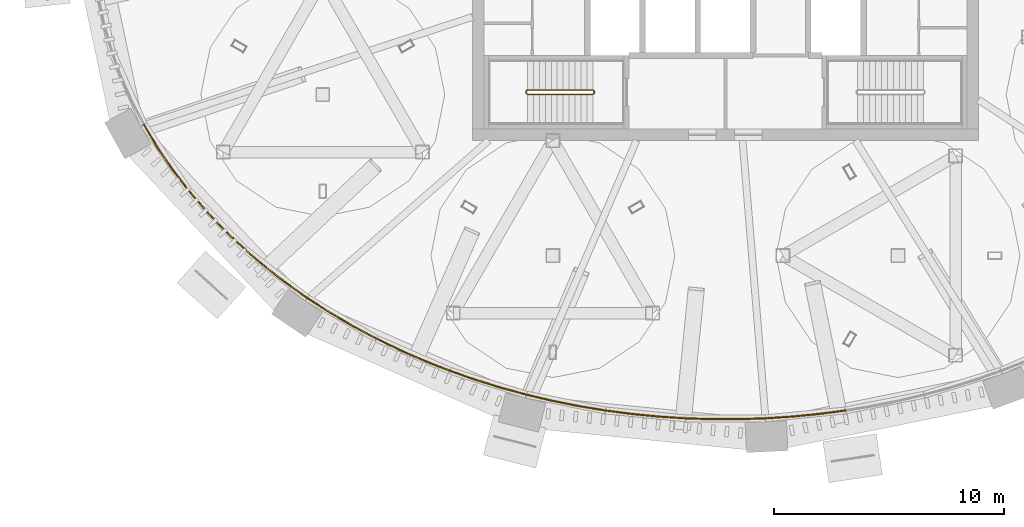
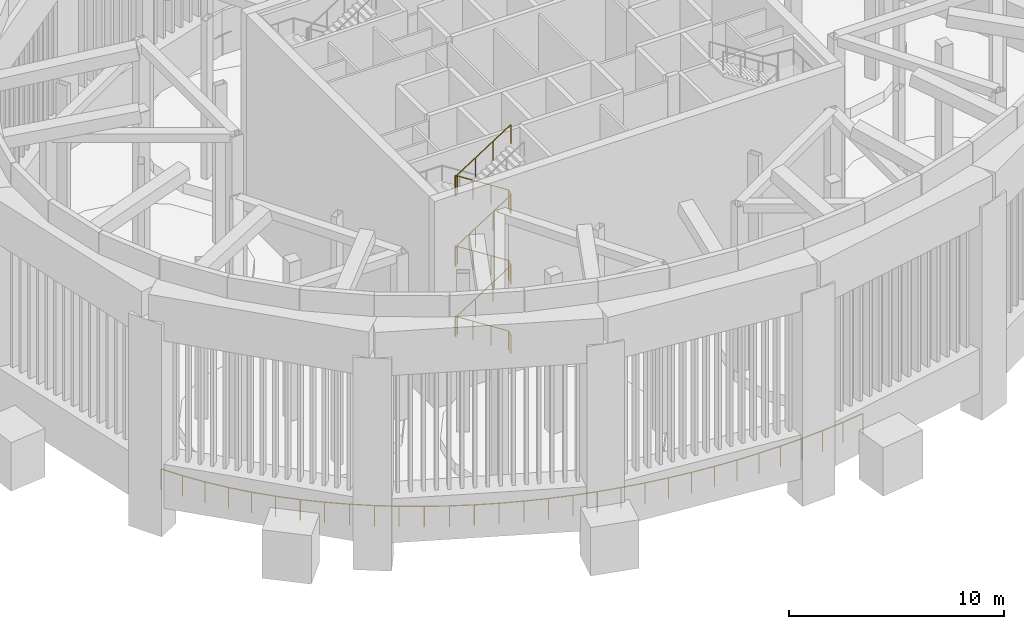
# One storey, part 10 of 14: 6 railings.
"""IFC4 building model written with IfcOpenShell, lengths in metres."""

import ifcopenshell
import ifcopenshell.guid

model = None  # the IFC model being written
_history = None  # IfcOwnerHistory: only IFC2X3 demands one
_inside = {}  # id of a spatial element -> (the spatial element, [elements in it])
_under = {}  # id of a project, library or spatial element -> (it, [spatial elements below it])
_declared = {}  # id of a project -> (the project, [libraries it declares])
_typed = {}  # id of a type object -> (the type object, [elements of that type])
_made_of = {}  # id of a material, layer set ... -> (it, [elements and type objects made of it])


def new_model(schema):
    """Start an empty IFC model of exactly this schema.

    Asked for "IFC4X3", IfcOpenShell would pick the latest addendum, in which some entities
    have other attributes; the version numbers below select the first issue.
    IFC2X3 requires an IfcOwnerHistory on every rooted entity: one is made here for all.
    """
    global model, _history
    if schema == "IFC4X3":
        model = ifcopenshell.file(schema_version=(4, 3, 0, 0))
    else:
        model = ifcopenshell.file(schema=schema)
    _inside.clear()
    _under.clear()
    _declared.clear()
    _typed.clear()
    _made_of.clear()
    _history = None
    if model.schema == "IFC2X3":
        org = make("IfcOrganization", Name="unknown")
        user = make(
            "IfcPersonAndOrganization",
            ThePerson=make("IfcPerson", FamilyName="unknown"),
            TheOrganization=org,
        )
        app = make(
            "IfcApplication",
            ApplicationDeveloper=org,
            Version="unknown",
            ApplicationFullName="unknown",
            ApplicationIdentifier="unknown",
        )
        _history = make(
            "IfcOwnerHistory",
            OwningUser=user,
            OwningApplication=app,
            ChangeAction="ADDED",
            CreationDate=0,
        )
    return model


def make(cls, **values):
    """One entity of the class cls with the attributes given. An attribute that is None is left unset."""
    return model.create_entity(
        cls, **{name: value for name, value in values.items() if value is not None}
    )


def rooted(cls, **values):
    """An entity with a GlobalId (a new one), such as an element, a storey or a relation."""
    return make(cls, GlobalId=ifcopenshell.guid.new(), OwnerHistory=_history, **values)


def si_unit(unit_type, name, prefix=None):
    """IfcSIUnit, for example si_unit("LENGTHUNIT", "METRE", prefix="MILLI")."""
    return make("IfcSIUnit", UnitType=unit_type, Prefix=prefix, Name=name)


def assignment(units):
    """IfcUnitAssignment: the units of a project."""
    return None if units is None else make("IfcUnitAssignment", Units=units)


def point(xyz):
    """IfcCartesianPoint."""
    return None if xyz is None else make("IfcCartesianPoint", Coordinates=xyz)


def direction(xyz):
    """IfcDirection."""
    return None if xyz is None else make("IfcDirection", DirectionRatios=xyz)


def frame(location, z_axis=None, x_axis=None):
    """IfcAxis2Placement3D, a coordinate frame: its origin and axes. An axis left out is left unset."""
    return make(
        "IfcAxis2Placement3D",
        Location=point(location),
        Axis=direction(z_axis),
        RefDirection=direction(x_axis),
    )


def frame_2d(location, x_axis=None):
    """IfcAxis2Placement2D, a coordinate frame in the plane: its origin and x axis."""
    return make(
        "IfcAxis2Placement2D", Location=point(location), RefDirection=direction(x_axis)
    )


def origin():
    """The frame at (0, 0, 0) with its axes left unset."""
    return frame((0.0, 0.0, 0.0))


def origin_2d():
    """The frame at (0, 0) in the plane with its x axis left unset."""
    return frame_2d((0.0, 0.0))


def place(relative_to, where):
    """IfcLocalPlacement: puts the frame where relative to a parent placement (None: the world)."""
    return make(
        "IfcLocalPlacement", PlacementRelTo=relative_to, RelativePlacement=where
    )


def context(
    kind, dimensions, precision=None, world=None, true_north=None, identifier=None
):
    """IfcGeometricRepresentationContext, for example the 3D "Model" context."""
    return make(
        "IfcGeometricRepresentationContext",
        ContextIdentifier=identifier,
        ContextType=kind,
        CoordinateSpaceDimension=dimensions,
        Precision=precision,
        WorldCoordinateSystem=world,
        TrueNorth=true_north,
    )


def subcontext(parent, identifier, kind, view, scale=None):
    """IfcGeometricRepresentationSubContext, for example "Body" below "Model"."""
    return make(
        "IfcGeometricRepresentationSubContext",
        ContextIdentifier=identifier,
        ContextType=kind,
        ParentContext=parent,
        TargetScale=scale,
        TargetView=view,
    )


def project(units=None, contexts=None):
    """IfcProject with its units and contexts."""
    return rooted(
        "IfcProject",
        Name="project",
        RepresentationContexts=contexts,
        UnitsInContext=assignment(units),
    )


def spatial(cls, under=None, at=None, **own):
    """A site, building, storey or space (cls), placed at a placement, below another one or the project."""
    s = rooted(cls, ObjectPlacement=at, **own)
    if under is not None:
        _under.setdefault(under.id(), (under, []))[1].append(s)
    return s


def profile(cls, at=None, kind="AREA", **sizes):
    """A parametric profile (cls). Its sizes go by their IFC names, for example OverallWidth=200.0."""
    return make(cls, ProfileType=kind, Position=at, **sizes)


def circle(**sizes):
    """IfcCircleProfileDef."""
    return profile("IfcCircleProfileDef", **sizes)


def extrude(swept, where, along, depth):
    """IfcExtrudedAreaSolid: the profile swept, set in the frame where, extruded along a direction by depth."""
    return make(
        "IfcExtrudedAreaSolid",
        SweptArea=swept,
        Position=where,
        ExtrudedDirection=direction(along),
        Depth=depth,
    )


def shape(context_of_items, identifier, shape_type, items):
    """IfcShapeRepresentation: the items that make up one representation, for example the "Body"."""
    return make(
        "IfcShapeRepresentation",
        ContextOfItems=context_of_items,
        RepresentationIdentifier=identifier,
        RepresentationType=shape_type,
        Items=items,
    )


def source(mapping_origin, context_of_items, identifier, shape_type, items):
    """IfcRepresentationMap: a shape defined once, which mapped items show again and again."""
    return make(
        "IfcRepresentationMap",
        MappingOrigin=mapping_origin,
        MappedRepresentation=shape(context_of_items, identifier, shape_type, items),
    )


def transform(
    local_origin,
    x_axis=None,
    y_axis=None,
    z_axis=None,
    scale=None,
    scale2=None,
    scale3=None,
    uniform=True,
):
    """IfcCartesianTransformationOperator3D, or its non-uniform kind. x_axis, y_axis, z_axis: its Axis1, 2, 3."""
    if uniform:
        return make(
            "IfcCartesianTransformationOperator3D",
            Axis1=direction(x_axis),
            Axis2=direction(y_axis),
            LocalOrigin=point(local_origin),
            Scale=scale,
            Axis3=direction(z_axis),
        )
    return make(
        "IfcCartesianTransformationOperator3DnonUniform",
        Axis1=direction(x_axis),
        Axis2=direction(y_axis),
        LocalOrigin=point(local_origin),
        Scale=scale,
        Axis3=direction(z_axis),
        Scale2=scale2,
        Scale3=scale3,
    )


def mapped(mapping_source, mapping_target):
    """IfcMappedItem: shows the shape of a source again, moved by a transform."""
    return make(
        "IfcMappedItem", MappingSource=mapping_source, MappingTarget=mapping_target
    )


def material(Name=None, Category=None):
    """IfcMaterial."""
    return make("IfcMaterial", Name=Name, Category=Category)


def made_of(thing, what):
    """Note that an element or type object is made of a material, layer set ...; save() writes the relation."""
    if what is not None:
        _made_of.setdefault(what.id(), (what, []))[1].append(thing)
    return thing


def type_object(cls, material=None, **own):
    """A type object (cls), such as IfcWallType, which elements share."""
    return made_of(rooted(cls, **own), material)


def element(
    cls,
    number,
    at=None,
    inside=None,
    cuts=None,
    type_object=None,
    material=None,
    context=None,
    identifier="Body",
    shape_type=None,
    held_by="IfcProductDefinitionShape",
    body=None,
    shapes=None,
    **own,
):
    """One element of the class cls, such as IfcWall. Its Tag is "e" and its number.

    at: its placement. inside: the storey or other place that contains it. cuts: it is an
    opening in that element (IfcRelVoidsElement). A single representation is given by context,
    identifier, shape_type and body (its items); several are given by shapes. held_by: the class
    of the entity that holds the representations. save() writes the other relations.
    """
    e = rooted(cls, Tag="e%d" % number, ObjectPlacement=at, **own)
    if body is not None:
        shapes = [shape(context, identifier, shape_type, body)]
    if shapes is not None:
        e.Representation = make(held_by, Representations=shapes)
    if inside is not None:
        _inside.setdefault(inside.id(), (inside, []))[1].append(e)
    if cuts is not None:
        rooted(
            "IfcRelVoidsElement", RelatingBuildingElement=cuts, RelatedOpeningElement=e
        )
    if type_object is not None:
        _typed.setdefault(type_object.id(), (type_object, []))[1].append(e)
    return made_of(e, material)


def aggregate(whole, parts):
    """IfcRelAggregates: a whole, such as a stair, and the parts it consists of."""
    return rooted("IfcRelAggregates", RelatingObject=whole, RelatedObjects=parts)


def save(model, path):
    """Write the relations noted so far, then the file.

    IfcRelAggregates (storeys below a building ...), IfcRelContainedInSpatialStructure (elements
    in a storey), IfcRelDefinesByType, IfcRelAssociatesMaterial and IfcRelDeclares: one each for
    every whole, place, type object, material and project.
    """
    for whole, parts in _under.values():
        aggregate(whole, parts)
    for where, things in _inside.values():
        rooted(
            "IfcRelContainedInSpatialStructure",
            RelatedElements=things,
            RelatingStructure=where,
        )
    for kind, things in _typed.values():
        rooted("IfcRelDefinesByType", RelatedObjects=things, RelatingType=kind)
    for what, things in _made_of.values():
        rooted("IfcRelAssociatesMaterial", RelatedObjects=things, RelatingMaterial=what)
    for by, libraries in _declared.values():
        rooted("IfcRelDeclares", RelatingContext=by, RelatedDefinitions=libraries)
    model.write(path)


model = new_model("IFC4")

# Units and contexts
model_context = context("Model", 3, precision=1e-05, world=origin(), true_north=direction((0.0, 1.0)))
body_context = subcontext(model_context, "Body", "Model", "MODEL_VIEW")
ifc_project = project(units=[si_unit("LENGTHUNIT", "METRE"), si_unit("AREAUNIT", "SQUARE_METRE"), si_unit("VOLUMEUNIT", "CUBIC_METRE"), si_unit("PLANEANGLEUNIT", "RADIAN"), si_unit("MASSUNIT", "GRAM", prefix="KILO")], contexts=[model_context])

# Site, building, storey
site_placement = place(None, origin())
site = spatial("IfcSite", under=ifc_project, at=site_placement, CompositionType="ELEMENT")
building_placement = place(site_placement, origin())
building = spatial("IfcBuilding", under=site, at=building_placement, Name="Embergate Tower", CompositionType="ELEMENT")
storey_placement = place(building_placement, frame((0.0, 0.0, 340.0)))
storey = spatial("IfcBuildingStorey", under=building, at=storey_placement, Name="L79", CompositionType="ELEMENT", Elevation=340.0)

# Railings
ifc_material_1 = material(Name="Steel Q355B", Category="steel")
railing_type_1 = type_object("IfcRailingType", Name="Slot edge guard", PredefinedType="GUARDRAIL", material=ifc_material_1)
shared_shape_1 = source(origin(), body_context, "Body", "SweptSolid", [
    extrude(circle(Radius=0.030029296875, at=origin_2d()), frame((0.0, 0.0, 1.169921875), z_axis=(0.51273893643, -0.858544572558, 0.0), x_axis=(0.858544572558, 0.51273893643, 0.0)), (0.0, 0.0, 1.0), 1.14501953125),
    extrude(circle(Radius=0.030029296875, at=origin_2d()), frame((0.587158203125, -0.983154296875, 1.169921875), z_axis=(0.562160279696, -0.827028306609, 0.0), x_axis=(0.827028306609, 0.562160279696, 0.0)), (0.0, 0.0, 1.0), 1.15966796875),
    extrude(circle(Radius=0.030029296875, at=origin_2d()), frame((1.239013671875, -1.942138671875, 1.169921875), z_axis=(0.609299061567, -0.79294051074, 0.0), x_axis=(0.79294051074, 0.609299061567, 0.0)), (0.0, 0.0, 1.0), 1.17529296875),
    extrude(circle(Radius=0.030029296875, at=origin_2d()), frame((1.955078125, -2.8740234375, 1.169921875), z_axis=(0.650931692548, -0.759136306362, 0.0), x_axis=(0.759136306362, 0.650931692548, 0.0)), (0.0, 0.0, 1.0), 1.146240234375),
    extrude(circle(Radius=0.030029296875, at=origin_2d()), frame((2.701171875, -3.744140625, 1.169921875), z_axis=(0.690080457651, -0.723732659183, 0.0), x_axis=(0.723732659183, 0.690080457651, 0.0)), (0.0, 0.0, 1.0), 1.160888671875),
    extrude(circle(Radius=0.030029296875, at=origin_2d()), frame((3.502197265625, -4.584228515625, 1.169921875), z_axis=(0.72643762883, -0.687232399861, 0.0), x_axis=(0.687232399861, 0.72643762883, 0.0)), (0.0, 0.0, 1.0), 1.177001953125),
    extrude(circle(Radius=0.02490234375, at=origin_2d()), origin(), (0.0, 0.0, 1.0), 1.139892578125),
    extrude(circle(Radius=0.02490234375, at=origin_2d()), frame((0.587158203125, -0.983154296875, 0.0)), (0.0, 0.0, 1.0), 1.139892578125),
    extrude(circle(Radius=0.02490234375, at=origin_2d()), frame((1.239013671875, -1.942138671875, 0.0)), (0.0, 0.0, 1.0), 1.139892578125),
    extrude(circle(Radius=0.02490234375, at=origin_2d()), frame((1.955078125, -2.8740234375, 0.0)), (0.0, 0.0, 1.0), 1.139892578125),
    extrude(circle(Radius=0.02490234375, at=origin_2d()), frame((2.701171875, -3.744140625, 0.0)), (0.0, 0.0, 1.0), 1.139892578125),
    extrude(circle(Radius=0.02490234375, at=origin_2d()), frame((3.502197265625, -4.584228515625, 0.0)), (0.0, 0.0, 1.0), 1.139892578125),
    extrude(circle(Radius=0.02490234375, at=origin_2d()), frame((4.357177734375, -5.39306640625, 0.0)), (0.0, 0.0, 1.0), 1.139892578125),
])
railing_1_placement = place(storey_placement, frame((-25.278076171875, -8.306884765625, 0.0)))
element("IfcRailing", 1, at=railing_1_placement, inside=storey, type_object=railing_type_1, Name="GRD-L79-12", PredefinedType="GUARDRAIL", context=body_context, shape_type="MappedRepresentation", body=[
    mapped(shared_shape_1, transform((0.0, 0.0, 0.0))),
])
shared_shape_2 = source(origin(), body_context, "Body", "SweptSolid", [
    extrude(circle(Radius=0.030029296875, at=origin_2d()), frame((0.0, 0.0, 1.169921875), z_axis=(0.758204132151, -0.652017249764, 0.0), x_axis=(0.652017249764, 0.758204132151, 0.0)), (0.0, 0.0, 1.0), 1.147216796875),
    extrude(circle(Radius=0.030029296875, at=origin_2d()), frame((0.869873046875, -0.748046875, 1.169921875), z_axis=(0.788571535905, -0.614943032126, 0.0), x_axis=(0.614943032126, 0.788571535905, 0.0)), (0.0, 0.0, 1.0), 1.162841796875),
    extrude(circle(Radius=0.030029296875, at=origin_2d()), frame((1.786865234375, -1.463134765625, 1.169921875), z_axis=(0.815371226091, -0.578938480033, 0.0), x_axis=(0.578938480033, 0.815371226091, 0.0)), (0.0, 0.0, 1.0), 1.176025390625),
    extrude(circle(Radius=0.030029296875, at=origin_2d()), frame((2.745849609375, -2.14404296875, 1.169921875), z_axis=(0.83999704899, -0.542590967202, 0.0), x_axis=(0.542590967202, 0.83999704899, 0.0)), (0.0, 0.0, 1.0), 1.150146484375),
    extrude(circle(Radius=0.030029296875, at=origin_2d()), frame((3.7119140625, -2.76806640625, 1.169921875), z_axis=(0.86234405618, -0.506322751584, 0.0), x_axis=(0.506322751584, 0.86234405618, 0.0)), (0.0, 0.0, 1.0), 1.1630859375),
    extrude(circle(Radius=0.030029296875, at=origin_2d()), frame((4.71484375, -3.35693359375, 1.169921875), z_axis=(0.882134203218, -0.470998139607, 0.0), x_axis=(0.470998139607, 0.882134203218, 0.0)), (0.0, 0.0, 1.0), 1.174560546875),
    extrude(circle(Radius=0.02490234375, at=origin_2d()), origin(), (0.0, 0.0, 1.0), 1.139892578125),
    extrude(circle(Radius=0.02490234375, at=origin_2d()), frame((0.869873046875, -0.748046875, 0.0)), (0.0, 0.0, 1.0), 1.139892578125),
    extrude(circle(Radius=0.02490234375, at=origin_2d()), frame((1.786865234375, -1.463134765625, 0.0)), (0.0, 0.0, 1.0), 1.139892578125),
    extrude(circle(Radius=0.02490234375, at=origin_2d()), frame((2.745849609375, -2.14404296875, 0.0)), (0.0, 0.0, 1.0), 1.139892578125),
    extrude(circle(Radius=0.02490234375, at=origin_2d()), frame((3.7119140625, -2.76806640625, 0.0)), (0.0, 0.0, 1.0), 1.139892578125),
    extrude(circle(Radius=0.02490234375, at=origin_2d()), frame((4.71484375, -3.35693359375, 0.0)), (0.0, 0.0, 1.0), 1.139892578125),
    extrude(circle(Radius=0.02490234375, at=origin_2d()), frame((5.7509765625, -3.91015625, 0.0)), (0.0, 0.0, 1.0), 1.139892578125),
])
railing_2_placement = place(storey_placement, frame((-20.9208984375, -13.699951171875, 0.0)))
element("IfcRailing", 2, at=railing_2_placement, inside=storey, type_object=railing_type_1, Name="GRD-L79-13", PredefinedType="GUARDRAIL", context=body_context, shape_type="MappedRepresentation", body=[
    mapped(shared_shape_2, transform((0.0, 0.0, 0.0))),
])
shared_shape_3 = source(origin(), body_context, "Body", "SweptSolid", [
    extrude(circle(Radius=0.030029296875, at=origin_2d()), frame((0.0, 0.0, 1.169921875), z_axis=(0.899904745665, -0.436086515189, 0.0), x_axis=(0.436086515189, 0.899904745665, 0.0)), (0.0, 0.0, 1.0), 1.1533203125),
    extrude(circle(Radius=0.030029296875, at=origin_2d()), frame((1.037841796875, -0.5029296875, 1.169921875), z_axis=(0.91627768128, -0.400543644049, 0.0), x_axis=(0.400543644049, 0.91627768128, 0.0)), (0.0, 0.0, 1.0), 1.16357421875),
    extrude(circle(Radius=0.030029296875, at=origin_2d()), frame((2.10400390625, -0.968994140625, 1.169921875), z_axis=(0.93074137423, -0.365678129365, 0.0), x_axis=(0.365678129365, 0.93074137423, 0.0)), (0.0, 0.0, 1.0), 1.173095703125),
    extrude(circle(Radius=0.030029296875, at=origin_2d()), frame((3.19580078125, -1.39794921875, 1.169921875), z_axis=(0.943538634761, -0.331262501217, 0.0), x_axis=(0.331262501217, 0.943538634761, 0.0)), (0.0, 0.0, 1.0), 1.15625),
    extrude(circle(Radius=0.030029296875, at=origin_2d()), frame((4.286865234375, -1.781005859375, 1.169921875), z_axis=(0.954789306627, -0.297283332782, 0.0), x_axis=(0.297283332782, 0.954789306627, 0.0)), (0.0, 0.0, 1.0), 1.16357421875),
    extrude(circle(Radius=0.030029296875, at=origin_2d()), frame((5.39794921875, -2.126953125, 1.169921875), z_axis=(0.964614558628, -0.26366409176, 0.0), x_axis=(0.26366409176, 0.964614558628, 0.0)), (0.0, 0.0, 1.0), 1.17138671875),
    extrude(circle(Radius=0.02490234375, at=origin_2d()), origin(), (0.0, 0.0, 1.0), 1.139892578125),
    extrude(circle(Radius=0.02490234375, at=origin_2d()), frame((1.037841796875, -0.5029296875, 0.0)), (0.0, 0.0, 1.0), 1.139892578125),
    extrude(circle(Radius=0.02490234375, at=origin_2d()), frame((2.10400390625, -0.968994140625, 0.0)), (0.0, 0.0, 1.0), 1.139892578125),
    extrude(circle(Radius=0.02490234375, at=origin_2d()), frame((3.19580078125, -1.39794921875, 0.0)), (0.0, 0.0, 1.0), 1.139892578125),
    extrude(circle(Radius=0.02490234375, at=origin_2d()), frame((4.286865234375, -1.781005859375, 0.0)), (0.0, 0.0, 1.0), 1.139892578125),
    extrude(circle(Radius=0.02490234375, at=origin_2d()), frame((5.39794921875, -2.126953125, 0.0)), (0.0, 0.0, 1.0), 1.139892578125),
    extrude(circle(Radius=0.02490234375, at=origin_2d()), frame((6.52783203125, -2.435791015625, 0.0)), (0.0, 0.0, 1.0), 1.139892578125),
])
railing_3_placement = place(storey_placement, frame((-15.169921875, -17.610107421875, 0.0)))
element("IfcRailing", 3, at=railing_3_placement, inside=storey, type_object=railing_type_1, Name="GRD-L79-14", PredefinedType="GUARDRAIL", context=body_context, shape_type="MappedRepresentation", body=[
    mapped(shared_shape_3, transform((0.0, 0.0, 0.0))),
])
shared_shape_4 = source(origin(), body_context, "Body", "SweptSolid", [
    extrude(circle(Radius=0.030029296875, at=origin_2d()), frame((0.0, 0.0, 1.169921875), z_axis=(0.973245494362, -0.229767725548, 0.0), x_axis=(0.229767725548, 0.973245494362, 0.0)), (0.0, 0.0, 1.0), 1.158203125),
    extrude(circle(Radius=0.030029296875, at=origin_2d()), frame((1.127197265625, -0.26611328125, 1.169921875), z_axis=(0.980475716763, -0.19664020148, 0.0), x_axis=(0.19664020148, 0.980475716763, 0.0)), (0.0, 0.0, 1.0), 1.16455078125),
    extrude(circle(Radius=0.030029296875, at=origin_2d()), frame((2.26904296875, -0.4951171875, 1.169921875), z_axis=(0.986568377457, -0.163348818796, 0.0), x_axis=(0.163348818796, 0.986568377457, 0.0)), (0.0, 0.0, 1.0), 1.168701171875),
    extrude(circle(Radius=0.030029296875, at=origin_2d()), frame((3.422119140625, -0.68603515625, 1.169921875), z_axis=(0.991502866582, -0.13008483985, 0.0), x_axis=(0.13008483985, 0.991502866582, 0.0)), (0.0, 0.0, 1.0), 1.16162109375),
    extrude(circle(Radius=0.030029296875, at=origin_2d()), frame((4.573974609375, -0.837158203125, 1.169921875), z_axis=(0.995189702322, -0.097966608555, 0.0), x_axis=(0.097966608555, 0.995189702322, 0.0)), (0.0, 0.0, 1.0), 1.163818359375),
    extrude(circle(Radius=0.030029296875, at=origin_2d()), frame((5.732177734375, -0.951171875, 1.169921875), z_axis=(0.997878628081, -0.06510179428, 0.0), x_axis=(0.06510179428, 0.997878628081, 0.0)), (0.0, 0.0, 1.0), 1.166259765625),
    extrude(circle(Radius=0.02490234375, at=origin_2d()), origin(), (0.0, 0.0, 1.0), 1.139892578125),
    extrude(circle(Radius=0.02490234375, at=origin_2d()), frame((1.127197265625, -0.26611328125, 0.0)), (0.0, 0.0, 1.0), 1.139892578125),
    extrude(circle(Radius=0.02490234375, at=origin_2d()), frame((2.26904296875, -0.4951171875, 0.0)), (0.0, 0.0, 1.0), 1.139892578125),
    extrude(circle(Radius=0.02490234375, at=origin_2d()), frame((3.422119140625, -0.68603515625, 0.0)), (0.0, 0.0, 1.0), 1.139892578125),
    extrude(circle(Radius=0.02490234375, at=origin_2d()), frame((4.573974609375, -0.837158203125, 0.0)), (0.0, 0.0, 1.0), 1.139892578125),
    extrude(circle(Radius=0.02490234375, at=origin_2d()), frame((5.732177734375, -0.951171875, 0.0)), (0.0, 0.0, 1.0), 1.139892578125),
    extrude(circle(Radius=0.02490234375, at=origin_2d()), frame((6.89599609375, -1.027099609375, 0.0)), (0.0, 0.0, 1.0), 1.139892578125),
])
railing_4_placement = place(storey_placement, frame((-8.64208984375, -20.0458984375, 0.0)))
element("IfcRailing", 4, at=railing_4_placement, inside=storey, type_object=railing_type_1, Name="GRD-L79-15", PredefinedType="GUARDRAIL", context=body_context, shape_type="MappedRepresentation", body=[
    mapped(shared_shape_4, transform((0.0, 0.0, 0.0))),
])
shared_shape_5 = source(origin(), body_context, "Body", "SweptSolid", [
    extrude(circle(Radius=0.030029296875, at=origin_2d()), frame((0.0, 0.0, 1.169921875), z_axis=(0.999465191622, -0.03270062288, 0.0), x_axis=(0.03270062288, 0.999465191622, 0.0)), (0.0, 0.0, 1.0), 1.164794921875),
    extrude(circle(Radius=0.030029296875, at=origin_2d()), frame((1.1640625, -0.0380859375, 1.169921875), z_axis=(1.0, 0.0, 0.0), x_axis=(0.0, 1.0, 0.0)), (0.0, 0.0, 1.0), 1.1640625),
    extrude(circle(Radius=0.030029296875, at=origin_2d()), frame((2.328125, -0.0380859375, 1.169921875), z_axis=(0.999465191622, 0.03270062288, 0.0), x_axis=(-0.03270062288, 0.999465191622, 0.0)), (0.0, 0.0, 1.0), 1.164794921875),
    extrude(circle(Radius=0.030029296875, at=origin_2d()), frame((3.4921875, 0.0, 1.169921875), z_axis=(0.997878628081, 0.06510179428, 0.0), x_axis=(-0.06510179428, 0.997878628081, 0.0)), (0.0, 0.0, 1.0), 1.166259765625),
    extrude(circle(Radius=0.030029296875, at=origin_2d()), frame((4.656005859375, 0.075927734375, 1.169921875), z_axis=(0.995189702322, 0.097966608555, 0.0), x_axis=(-0.097966608555, 0.995189702322, 0.0)), (0.0, 0.0, 1.0), 1.163818359375),
    extrude(circle(Radius=0.030029296875, at=origin_2d()), frame((5.814208984375, 0.18994140625, 1.169921875), z_axis=(0.991502866582, 0.13008483985, 0.0), x_axis=(-0.13008483985, 0.991502866582, 0.0)), (0.0, 0.0, 1.0), 1.16162109375),
    extrude(circle(Radius=0.02490234375, at=origin_2d()), origin(), (0.0, 0.0, 1.0), 1.139892578125),
    extrude(circle(Radius=0.02490234375, at=origin_2d()), frame((1.1640625, -0.0380859375, 0.0)), (0.0, 0.0, 1.0), 1.139892578125),
    extrude(circle(Radius=0.02490234375, at=origin_2d()), frame((2.328125, -0.0380859375, 0.0)), (0.0, 0.0, 1.0), 1.139892578125),
    extrude(circle(Radius=0.02490234375, at=origin_2d()), frame((3.4921875, 0.0, 0.0)), (0.0, 0.0, 1.0), 1.139892578125),
    extrude(circle(Radius=0.02490234375, at=origin_2d()), frame((4.656005859375, 0.075927734375, 0.0)), (0.0, 0.0, 1.0), 1.139892578125),
    extrude(circle(Radius=0.02490234375, at=origin_2d()), frame((5.814208984375, 0.18994140625, 0.0)), (0.0, 0.0, 1.0), 1.139892578125),
    extrude(circle(Radius=0.02490234375, at=origin_2d()), frame((6.966064453125, 0.341064453125, 0.0)), (0.0, 0.0, 1.0), 1.139892578125),
])
railing_5_placement = place(storey_placement, frame((-1.74609375, -21.072998046875, 0.0)))
element("IfcRailing", 5, at=railing_5_placement, inside=storey, type_object=railing_type_1, Name="GRD-L79-16", PredefinedType="GUARDRAIL", context=body_context, shape_type="MappedRepresentation", body=[
    mapped(shared_shape_5, transform((0.0, 0.0, 0.0))),
])
ifc_material_2 = material(Name="Stair guard 1100")
railing_type_2 = type_object("IfcRailingType", Name="Stair guard 1100", PredefinedType="GUARDRAIL", material=ifc_material_2)
shared_shape_6 = source(origin(), body_context, "Body", "SweptSolid", [
    extrude(circle(Radius=0.02392578125, at=origin_2d()), frame((0.0, 0.0, 1.076171875), z_axis=(0.0, 1.0, 0.0), x_axis=(-1.0, 0.0, 0.0)), (0.0, 0.0, 1.0), 0.099853515625),
    extrude(circle(Radius=0.02392578125, at=origin_2d()), frame((0.0, 0.099853515625, 1.076171875), z_axis=(-0.27628659633, 0.27628659633, 0.920506074601), x_axis=(-0.707106781187, -0.707106781187, 0.0)), (0.0, 0.0, 1.0), 0.18115234375),
    extrude(circle(Radius=0.02392578125, at=origin_2d()), frame((-0.050048828125, 0.14990234375, 1.24267578125), z_axis=(-0.841899231129, 0.0, 0.539634769658), x_axis=(0.0, -1.0, 0.0)), (0.0, 0.0, 1.0), 3.397216796875),
    extrude(circle(Radius=0.02392578125, at=origin_2d()), frame((-2.91015625, 0.14990234375, 3.076171875), z_axis=(-0.705375805398, -0.708833529934, 0.0), x_axis=(0.708833529934, -0.705375805398, 0.0)), (0.0, 0.0, 1.0), 0.070556640625),
    extrude(circle(Radius=0.02392578125, at=origin_2d()), frame((-2.9599609375, 0.099853515625, 3.076171875), z_axis=(0.0, -1.0, 0.0), x_axis=(1.0, 0.0, 0.0)), (0.0, 0.0, 1.0), 0.099853515625),
    extrude(circle(Radius=0.02392578125, at=origin_2d()), frame((-2.9599609375, 0.0, 3.076171875), z_axis=(0.275041040955, -0.276389281352, 0.920848191041), x_axis=(0.708833529934, 0.705375805398, 0.0)), (0.0, 0.0, 1.0), 0.18115234375),
    extrude(circle(Radius=0.02392578125, at=origin_2d()), frame((-2.91015625, -0.050048828125, 3.24267578125), z_axis=(0.841899231129, 0.0, 0.539634769658), x_axis=(0.0, 1.0, 0.0)), (0.0, 0.0, 1.0), 3.397216796875),
    extrude(circle(Radius=0.02392578125, at=origin_2d()), frame((-0.050048828125, -0.050048828125, 5.076171875), z_axis=(0.707106781187, 0.707106781187, 0.0), x_axis=(-0.707106781187, 0.707106781187, 0.0)), (0.0, 0.0, 1.0), 0.07080078125),
    extrude(circle(Radius=0.02392578125, at=origin_2d()), frame((0.0, 0.0, 5.076171875), z_axis=(0.0, 1.0, 0.0), x_axis=(-1.0, 0.0, 0.0)), (0.0, 0.0, 1.0), 0.099853515625),
    extrude(circle(Radius=0.02392578125, at=origin_2d()), frame((0.0, 0.099853515625, 5.076171875), z_axis=(-0.27628659633, 0.27628659633, 0.920506074601), x_axis=(-0.707106781187, -0.707106781187, 0.0)), (0.0, 0.0, 1.0), 0.18115234375),
    extrude(circle(Radius=0.02392578125, at=origin_2d()), frame((-0.050048828125, 0.14990234375, 5.24267578125), z_axis=(-0.841899231129, 0.0, 0.539634769658), x_axis=(0.0, -1.0, 0.0)), (0.0, 0.0, 1.0), 3.397216796875),
    extrude(circle(Radius=0.02392578125, at=origin_2d()), frame((-2.91015625, 0.14990234375, 7.076171875), z_axis=(-0.705375805398, -0.708833529934, 0.0), x_axis=(0.708833529934, -0.705375805398, 0.0)), (0.0, 0.0, 1.0), 0.070556640625),
    extrude(circle(Radius=0.02392578125, at=origin_2d()), frame((-2.9599609375, 0.099853515625, 7.076171875), z_axis=(0.0, -1.0, 0.0), x_axis=(1.0, 0.0, 0.0)), (0.0, 0.0, 1.0), 0.099853515625),
    extrude(circle(Radius=0.02392578125, at=origin_2d()), frame((-2.9599609375, 0.0, 7.076171875), z_axis=(0.275041040955, -0.276389281352, 0.920848191041), x_axis=(0.708833529934, 0.705375805398, 0.0)), (0.0, 0.0, 1.0), 0.18115234375),
    extrude(circle(Radius=0.02392578125, at=origin_2d()), frame((-2.91015625, -0.050048828125, 7.24267578125), z_axis=(0.841899231129, 0.0, 0.539634769658), x_axis=(0.0, 1.0, 0.0)), (0.0, 0.0, 1.0), 3.397216796875),
    extrude(circle(Radius=0.02392578125, at=origin_2d()), frame((-0.050048828125, -0.050048828125, 9.076171875), z_axis=(0.707106781187, 0.707106781187, 0.0), x_axis=(-0.707106781187, 0.707106781187, 0.0)), (0.0, 0.0, 1.0), 0.07080078125),
    extrude(circle(Radius=0.02392578125, at=origin_2d()), frame((0.0, 0.0, 9.076171875), z_axis=(0.0, 1.0, 0.0), x_axis=(-1.0, 0.0, 0.0)), (0.0, 0.0, 1.0), 0.099853515625),
    extrude(circle(Radius=0.02392578125, at=origin_2d()), frame((0.0, 0.099853515625, 9.076171875), z_axis=(-0.27628659633, 0.27628659633, 0.920506074601), x_axis=(-0.707106781187, -0.707106781187, 0.0)), (0.0, 0.0, 1.0), 0.18115234375),
    extrude(circle(Radius=0.02392578125, at=origin_2d()), frame((-0.050048828125, 0.14990234375, 9.24267578125), z_axis=(-0.841899231129, 0.0, 0.539634769658), x_axis=(0.0, -1.0, 0.0)), (0.0, 0.0, 1.0), 3.397216796875),
    extrude(circle(Radius=0.02392578125, at=origin_2d()), frame((-2.91015625, 0.14990234375, 11.076171875), z_axis=(-0.705375805398, -0.708833529934, 0.0), x_axis=(0.708833529934, -0.705375805398, 0.0)), (0.0, 0.0, 1.0), 0.070556640625),
    extrude(circle(Radius=0.02392578125, at=origin_2d()), frame((-2.9599609375, 0.099853515625, 11.076171875), z_axis=(0.0, -1.0, 0.0), x_axis=(1.0, 0.0, 0.0)), (0.0, 0.0, 1.0), 0.099853515625),
    extrude(circle(Radius=0.02392578125, at=origin_2d()), frame((-2.9599609375, 0.0, 11.076171875), z_axis=(0.275041040955, -0.276389281352, 0.920848191041), x_axis=(0.708833529934, 0.705375805398, 0.0)), (0.0, 0.0, 1.0), 0.18115234375),
    extrude(circle(Radius=0.02392578125, at=origin_2d()), frame((-2.91015625, -0.050048828125, 11.24267578125), z_axis=(0.841899231129, 0.0, 0.539634769658), x_axis=(0.0, 1.0, 0.0)), (0.0, 0.0, 1.0), 3.397216796875),
    extrude(circle(Radius=0.02099609375, at=origin_2d()), origin(), (0.0, 0.0, 1.0), 1.052001953125),
    extrude(circle(Radius=0.02099609375, at=origin_2d()), frame((0.0, 0.099853515625, 0.0)), (0.0, 0.0, 1.0), 1.052001953125),
    extrude(circle(Radius=0.02099609375, at=origin_2d()), frame((-0.050048828125, 0.14990234375, 0.166748046875)), (0.0, 0.0, 1.0), 1.052001953125),
    extrude(circle(Radius=0.02099609375, at=origin_2d()), frame((-1.00341796875, 0.14990234375, 0.77783203125)), (0.0, 0.0, 1.0), 1.052001953125),
    extrude(circle(Radius=0.02099609375, at=origin_2d()), frame((-1.956787109375, 0.14990234375, 1.388916015625)), (0.0, 0.0, 1.0), 1.052001953125),
    extrude(circle(Radius=0.02099609375, at=origin_2d()), frame((-2.91015625, 0.14990234375, 2.0)), (0.0, 0.0, 1.0), 1.052001953125),
    extrude(circle(Radius=0.02099609375, at=origin_2d()), frame((-2.9599609375, 0.099853515625, 2.0)), (0.0, 0.0, 1.0), 1.052001953125),
    extrude(circle(Radius=0.02099609375, at=origin_2d()), frame((-2.9599609375, 0.0, 2.0)), (0.0, 0.0, 1.0), 1.052001953125),
    extrude(circle(Radius=0.02099609375, at=origin_2d()), frame((-2.91015625, -0.050048828125, 2.166748046875)), (0.0, 0.0, 1.0), 1.052001953125),
    extrude(circle(Radius=0.02099609375, at=origin_2d()), frame((-1.956787109375, -0.050048828125, 2.77783203125)), (0.0, 0.0, 1.0), 1.052001953125),
    extrude(circle(Radius=0.02099609375, at=origin_2d()), frame((-1.00341796875, -0.050048828125, 3.388916015625)), (0.0, 0.0, 1.0), 1.052001953125),
    extrude(circle(Radius=0.02099609375, at=origin_2d()), frame((-0.050048828125, -0.050048828125, 4.0)), (0.0, 0.0, 1.0), 1.052001953125),
    extrude(circle(Radius=0.02099609375, at=origin_2d()), frame((0.0, 0.0, 4.0)), (0.0, 0.0, 1.0), 1.052001953125),
    extrude(circle(Radius=0.02099609375, at=origin_2d()), frame((0.0, 0.099853515625, 4.0)), (0.0, 0.0, 1.0), 1.052001953125),
    extrude(circle(Radius=0.02099609375, at=origin_2d()), frame((-0.050048828125, 0.14990234375, 4.166748046875)), (0.0, 0.0, 1.0), 1.052001953125),
    extrude(circle(Radius=0.02099609375, at=origin_2d()), frame((-1.00341796875, 0.14990234375, 4.77783203125)), (0.0, 0.0, 1.0), 1.052001953125),
    extrude(circle(Radius=0.02099609375, at=origin_2d()), frame((-1.956787109375, 0.14990234375, 5.388916015625)), (0.0, 0.0, 1.0), 1.052001953125),
    extrude(circle(Radius=0.02099609375, at=origin_2d()), frame((-2.91015625, 0.14990234375, 6.0)), (0.0, 0.0, 1.0), 1.052001953125),
    extrude(circle(Radius=0.02099609375, at=origin_2d()), frame((-2.9599609375, 0.099853515625, 6.0)), (0.0, 0.0, 1.0), 1.052001953125),
    extrude(circle(Radius=0.02099609375, at=origin_2d()), frame((-2.9599609375, 0.0, 6.0)), (0.0, 0.0, 1.0), 1.052001953125),
    extrude(circle(Radius=0.02099609375, at=origin_2d()), frame((-2.91015625, -0.050048828125, 6.166748046875)), (0.0, 0.0, 1.0), 1.052001953125),
    extrude(circle(Radius=0.02099609375, at=origin_2d()), frame((-1.956787109375, -0.050048828125, 6.77783203125)), (0.0, 0.0, 1.0), 1.052001953125),
    extrude(circle(Radius=0.02099609375, at=origin_2d()), frame((-1.00341796875, -0.050048828125, 7.388916015625)), (0.0, 0.0, 1.0), 1.052001953125),
    extrude(circle(Radius=0.02099609375, at=origin_2d()), frame((-0.050048828125, -0.050048828125, 8.0)), (0.0, 0.0, 1.0), 1.052001953125),
    extrude(circle(Radius=0.02099609375, at=origin_2d()), frame((0.0, 0.0, 8.0)), (0.0, 0.0, 1.0), 1.052001953125),
    extrude(circle(Radius=0.02099609375, at=origin_2d()), frame((0.0, 0.099853515625, 8.0)), (0.0, 0.0, 1.0), 1.052001953125),
    extrude(circle(Radius=0.02099609375, at=origin_2d()), frame((-0.050048828125, 0.14990234375, 8.166748046875)), (0.0, 0.0, 1.0), 1.052001953125),
    extrude(circle(Radius=0.02099609375, at=origin_2d()), frame((-1.00341796875, 0.14990234375, 8.77783203125)), (0.0, 0.0, 1.0), 1.052001953125),
    extrude(circle(Radius=0.02099609375, at=origin_2d()), frame((-1.956787109375, 0.14990234375, 9.388916015625)), (0.0, 0.0, 1.0), 1.052001953125),
    extrude(circle(Radius=0.02099609375, at=origin_2d()), frame((-2.91015625, 0.14990234375, 10.0)), (0.0, 0.0, 1.0), 1.052001953125),
    extrude(circle(Radius=0.02099609375, at=origin_2d()), frame((-2.9599609375, 0.099853515625, 10.0)), (0.0, 0.0, 1.0), 1.052001953125),
    extrude(circle(Radius=0.02099609375, at=origin_2d()), frame((-2.9599609375, 0.0, 10.0)), (0.0, 0.0, 1.0), 1.052001953125),
    extrude(circle(Radius=0.02099609375, at=origin_2d()), frame((-2.91015625, -0.050048828125, 10.166748046875)), (0.0, 0.0, 1.0), 1.052001953125),
    extrude(circle(Radius=0.02099609375, at=origin_2d()), frame((-1.956787109375, -0.050048828125, 10.77783203125)), (0.0, 0.0, 1.0), 1.052001953125),
    extrude(circle(Radius=0.02099609375, at=origin_2d()), frame((-1.00341796875, -0.050048828125, 11.388916015625)), (0.0, 0.0, 1.0), 1.052001953125),
    extrude(circle(Radius=0.02099609375, at=origin_2d()), frame((-0.050048828125, -0.050048828125, 12.0)), (0.0, 0.0, 1.0), 1.052001953125),
])
railing_6_placement = place(storey_placement, frame((-5.699951171875, -6.949951171875, 0.0)))
element("IfcRailing", 6, at=railing_6_placement, inside=storey, type_object=railing_type_2, Name="L79 ST3 stair guard 1", PredefinedType="GUARDRAIL", context=body_context, shape_type="MappedRepresentation", body=[
    mapped(shared_shape_6, transform((0.0, 0.0, 0.0))),
])

save(model, "model.ifc")
